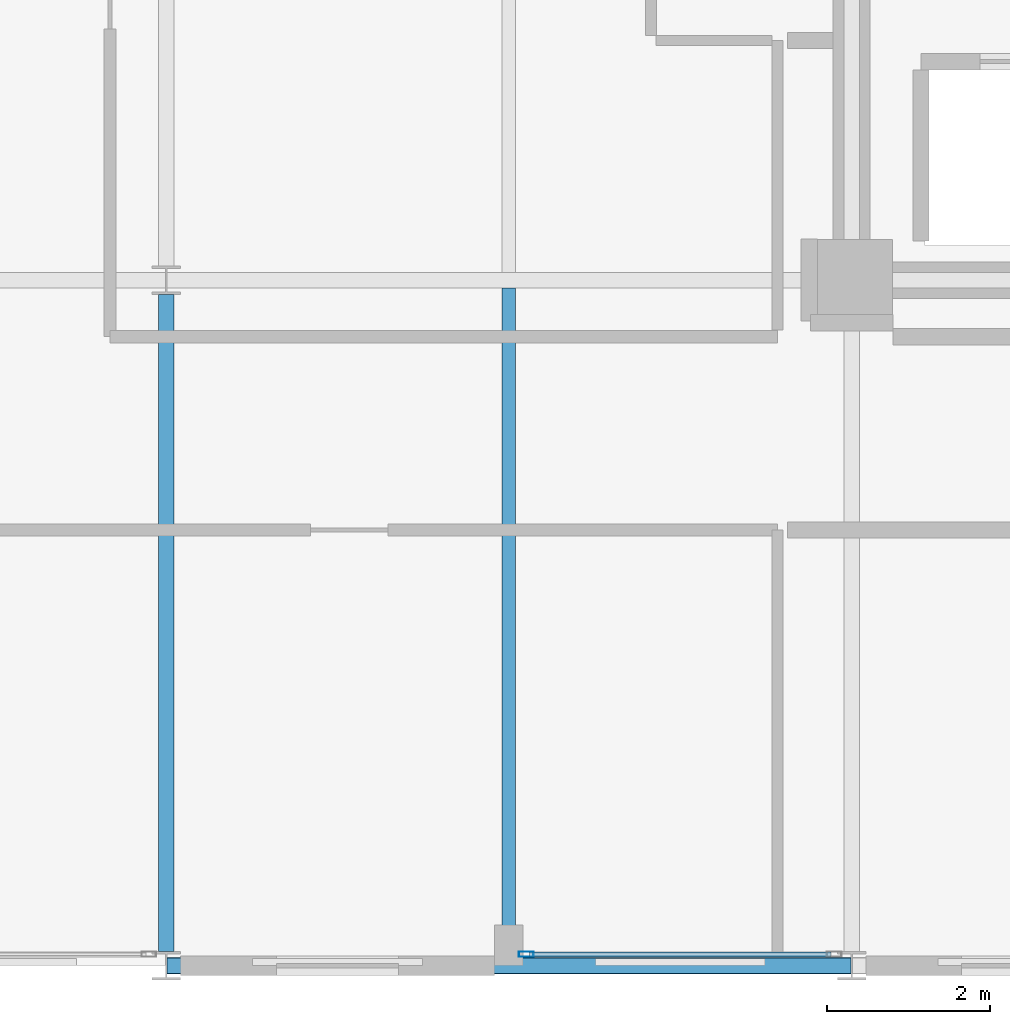
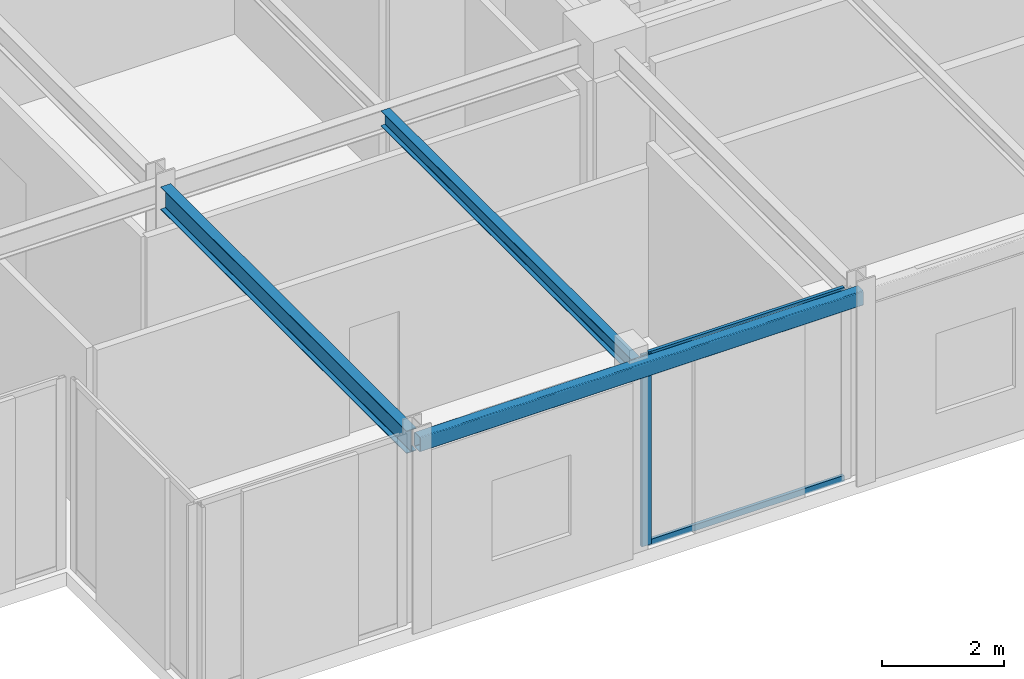
# One storey, part 3 of 25: 3 beams, 3 members, 1 element without a shape of its own.
"""IFC4 building model written with IfcOpenShell, lengths in metres."""

from ifc_helpers import new_model, si_unit, direction, frame, origin, origin_2d, place, context, subcontext, project, spatial, hollow_rectangle, i_section, extrude, material, layer, layer_set, material_profile, profile_set, type_object, element, aggregate, save


model = new_model("IFC4")

# Units and contexts
model_context = context("Model", 3, precision=1e-05, world=origin(), true_north=direction((0.0, 1.0)))
body_context = subcontext(model_context, "Body", "Model", "MODEL_VIEW")
ifc_project = project(units=[si_unit("LENGTHUNIT", "METRE"), si_unit("AREAUNIT", "SQUARE_METRE"), si_unit("VOLUMEUNIT", "CUBIC_METRE"), si_unit("PLANEANGLEUNIT", "RADIAN"), si_unit("MASSUNIT", "GRAM", prefix="KILO")], contexts=[model_context])

# Site, building, storey
site_placement = place(None, origin())
site = spatial("IfcSite", under=ifc_project, at=site_placement, CompositionType="ELEMENT")
building_placement = place(site_placement, origin())
building = spatial("IfcBuilding", under=site, at=building_placement, Name="Nerrivon Quay Data Exchange", CompositionType="ELEMENT")
storey_placement = place(building_placement, frame((0.0, 0.0, 224.699951171875)))
storey = spatial("IfcBuildingStorey", under=building, at=storey_placement, Name="L53", CompositionType="ELEMENT", Elevation=224.699951171875)

# Beams
ifc_material_1 = material(Name="Steel Grade 350", Category="steel")
ifc_material_profile_1 = material_profile(ifc_material_1, i_section(OverallWidth=0.18994140625, OverallDepth=0.4541015625, WebThickness=0.008544921875, FlangeThickness=0.0126953125, FilletRadius=0.011474609375, at=origin_2d()), Name="460UB67.1")
ifc_profile_set_1 = profile_set([ifc_material_profile_1], Name="Steel Grade 350")
beam_type_1 = type_object("IfcBeamType", Name="BM-G6-460UB67", PredefinedType="BEAM", material=ifc_profile_set_1)
beam_1_placement = place(storey_placement, frame((8.39990234375, 0.175048828125, 3.59814453125), z_axis=(0.0, 1.0, 0.0), x_axis=(-1.0, 0.0, 0.0)))
element("IfcBeam", 1, at=beam_1_placement, inside=storey, type_object=beam_type_1, Name="L53 NS Girder X=8.4 (0.0..8.4)", PredefinedType="BEAM", context=body_context, shape_type="SweptSolid", body=[
    extrude(i_section(OverallWidth=0.18994140625, OverallDepth=0.4541015625, WebThickness=0.008544921875, FlangeThickness=0.0126953125, FilletRadius=0.011474609375, at=origin_2d()), origin(), (0.0, 0.0, 1.0), 8.050048828125),
])
ifc_material_profile_2 = material_profile(ifc_material_1, i_section(OverallWidth=0.166015625, OverallDepth=0.306884765625, WebThickness=0.006591796875, FlangeThickness=0.01171875, FilletRadius=0.011474609375, at=origin_2d()), Name="310UB46.2")
ifc_profile_set_2 = profile_set([ifc_material_profile_2], Name="Steel Grade 350")
beam_type_2 = type_object("IfcBeamType", Name="BM-J5-310UB46", PredefinedType="JOIST", material=ifc_profile_set_2)
beam_2_placement = place(storey_placement, frame((12.60009765625, 0.10009765625, 3.671630859375), z_axis=(0.0, 1.0, 0.0), x_axis=(-1.0, 0.0, 0.0)))
element("IfcBeam", 2, at=beam_2_placement, inside=storey, type_object=beam_type_2, Name="L53 Secondary Joist X=12.6 (0.0..8.4)", PredefinedType="JOIST", context=body_context, shape_type="SweptSolid", body=[
    extrude(i_section(OverallWidth=0.166015625, OverallDepth=0.306884765625, WebThickness=0.006591796875, FlangeThickness=0.01171875, FilletRadius=0.011474609375, at=origin_2d()), origin(), (0.0, 0.0, 1.0), 8.204345703125),
])
ifc_material_2 = material(Name="Steel Grade C350L0 (350 MPa)", Category="steel")
ifc_material_profile_3 = material_profile(ifc_material_2, hollow_rectangle(XDim=0.199951171875, YDim=0.300048828125, WallThickness=0.012451171875, InnerFilletRadius=0.018798828125, OuterFilletRadius=0.03125, at=origin_2d()), Name="300x200x12.5RHS")
ifc_profile_set_3 = profile_set([ifc_material_profile_3], Name="Steel Grade C350L0 (350 MPa)")
beam_type_3 = type_object("IfcBeamType", Name="BM-SP3-300x200RHS", PredefinedType="SPANDREL", material=ifc_profile_set_3)
beam_3_placement = place(storey_placement, frame((8.409912109375, 0.0, 3.675048828125), z_axis=(1.0, 0.0, 0.0), x_axis=(0.0, 1.0, 0.0)))
element("IfcBeam", 3, at=beam_3_placement, inside=storey, type_object=beam_type_3, Name="L53 EW Girder Y=0.0 (8.4..16.8)", PredefinedType="SPANDREL", context=body_context, shape_type="SweptSolid", body=[
    extrude(hollow_rectangle(XDim=0.199951171875, YDim=0.300048828125, WallThickness=0.012451171875, InnerFilletRadius=0.018798828125, OuterFilletRadius=0.03125, at=origin_2d()), origin(), (0.0, 0.0, 1.0), 8.380126953125),
])

# Curtain wall, members
ifc_material_3 = material(Name="Anodised aluminium 6063-T6", Category="aluminium")
ifc_layer = layer(ifc_material_3, 0.195068359375)
ifc_layer_set = layer_set([ifc_layer], Name="Anodised aluminium 6063-T6")
curtain_wall_type = type_object("IfcCurtainWallType", Name="CW-SYS-06", PredefinedType="NOTDEFINED", material=ifc_layer_set)
curtain_wall_placement = place(storey_placement, origin())
curtain_wall = element("IfcCurtainWall", 4, at=curtain_wall_placement, inside=storey, type_object=curtain_wall_type, Name="L53 Unitised Curtain Wall 6", PredefinedType="NOTDEFINED")
ifc_material_profile_4 = material_profile(ifc_material_3, hollow_rectangle(XDim=0.06494140625, YDim=0.179931640625, WallThickness=0.00341796875, at=origin_2d()), Name="ALU-MULL-180x65")
ifc_profile_set_4 = profile_set([ifc_material_profile_4], Name="Anodised aluminium 6063-T6")
member_type_1 = type_object("IfcMemberType", Name="CWM-180x65", PredefinedType="MULLION", material=ifc_profile_set_4)
member_1_placement = place(storey_placement, frame((12.8125, 0.139892578125, 0.0), z_axis=(0.0, 0.0, 1.0), x_axis=(0.0, -1.0, 0.0)))
member_1 = element("IfcMember", 5, at=member_1_placement, type_object=member_type_1, Name="CW06 mullion 2", PredefinedType="MULLION", context=body_context, shape_type="SweptSolid", body=[
    extrude(hollow_rectangle(XDim=0.06494140625, YDim=0.179931640625, WallThickness=0.00341796875, at=origin_2d()), origin(), (0.0, 0.0, 1.0), 3.824951171875),
])
ifc_material_profile_5 = material_profile(ifc_material_3, hollow_rectangle(XDim=0.06005859375, YDim=0.1201171875, WallThickness=0.003173828125, at=origin_2d()), Name="ALU-TRAN-120x60")
ifc_profile_set_5 = profile_set([ifc_material_profile_5], Name="Anodised aluminium 6063-T6")
member_type_2 = type_object("IfcMemberType", Name="CWT-120x60", PredefinedType="USERDEFINED", material=ifc_profile_set_5)
member_2_placement = place(storey_placement, frame((16.550048828125, 0.139892578125, 0.032470703125), z_axis=(-1.0, 0.0, 0.0), x_axis=(0.0, -1.0, 0.0)))
member_2 = element("IfcMember", 6, at=member_2_placement, type_object=member_type_2, Name="CW06 transom 1.1", ObjectType="TRANSOM", PredefinedType="USERDEFINED", context=body_context, shape_type="SweptSolid", body=[
    extrude(hollow_rectangle(XDim=0.06005859375, YDim=0.1201171875, WallThickness=0.003173828125, at=origin_2d()), origin(), (0.0, 0.0, 1.0), 3.699951171875),
])
member_3_placement = place(storey_placement, frame((16.550048828125, 0.139892578125, 3.79248046875), z_axis=(-1.0, 0.0, 0.0), x_axis=(0.0, -1.0, 0.0)))
member_3 = element("IfcMember", 7, at=member_3_placement, type_object=member_type_2, Name="CW06 transom 1.2", ObjectType="TRANSOM", PredefinedType="USERDEFINED", context=body_context, shape_type="SweptSolid", body=[
    extrude(hollow_rectangle(XDim=0.06005859375, YDim=0.1201171875, WallThickness=0.003173828125, at=origin_2d()), origin(), (0.0, 0.0, 1.0), 3.699951171875),
])
aggregate(curtain_wall, [member_1, member_2, member_3])

save(model, "model.ifc")
